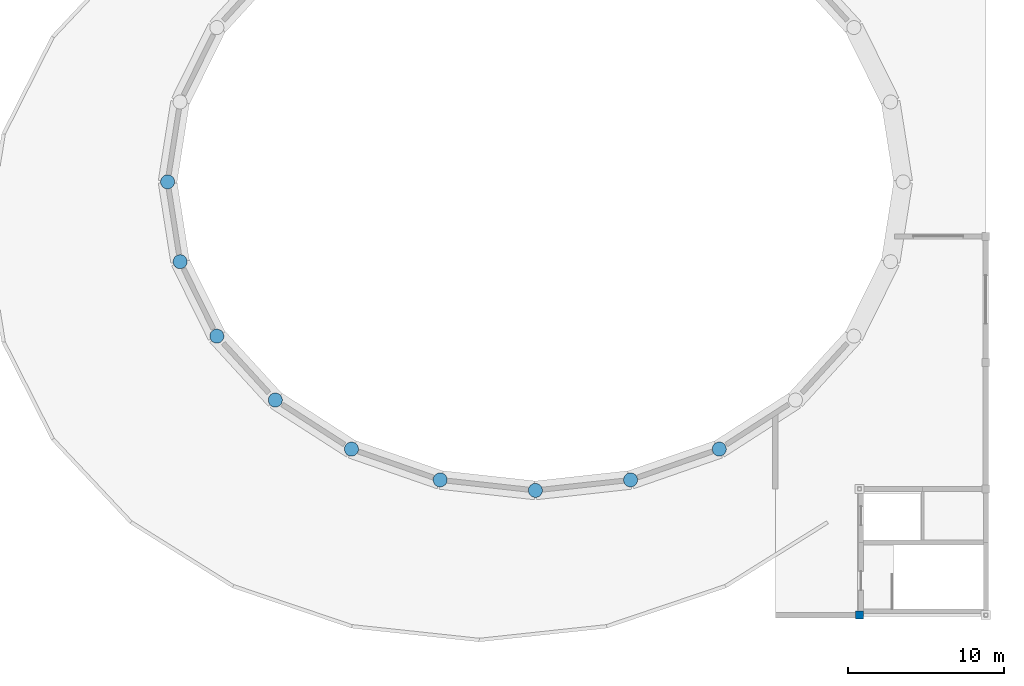
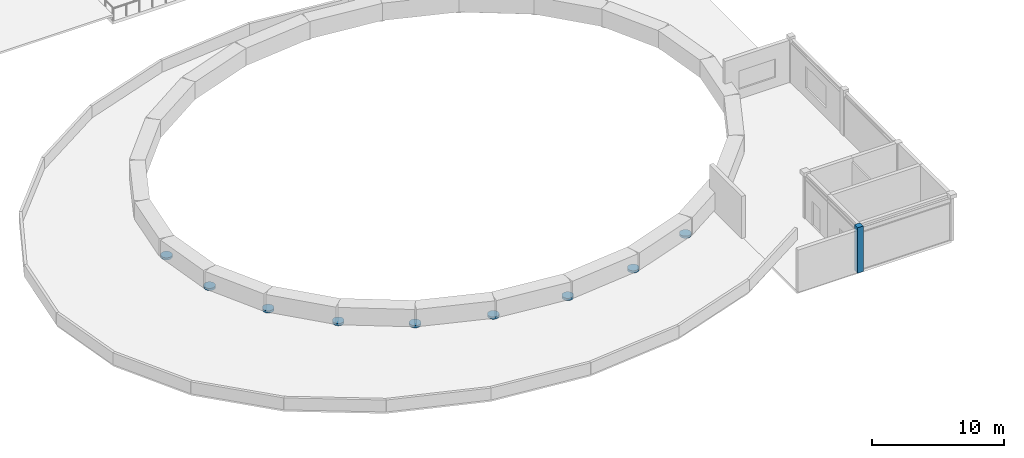
# One storey, part 1 of 26: 10 columns.
"""IFC4 building model written with IfcOpenShell, lengths in metres."""

from ifc_helpers import new_model, si_unit, direction, frame, origin, origin_2d, place, context, subcontext, project, spatial, rectangle, circle, extrude, material, material_profile, profile_set, type_object, element, save


model = new_model("IFC4")

# Units and contexts
model_context = context("Model", 3, precision=1e-05, world=origin(), true_north=direction((0.0, 1.0)))
body_context = subcontext(model_context, "Body", "Model", "MODEL_VIEW")
ifc_project = project(units=[si_unit("LENGTHUNIT", "METRE"), si_unit("AREAUNIT", "SQUARE_METRE"), si_unit("VOLUMEUNIT", "CUBIC_METRE"), si_unit("PLANEANGLEUNIT", "RADIAN"), si_unit("MASSUNIT", "GRAM", prefix="KILO")], contexts=[model_context])

# Site, building, storey
site_placement = place(None, origin())
site = spatial("IfcSite", under=ifc_project, at=site_placement, CompositionType="ELEMENT")
building_placement = place(site_placement, origin())
building = spatial("IfcBuilding", under=site, at=building_placement, Name="Parian Resonance Hall", CompositionType="ELEMENT")
storey_placement = place(building_placement, frame((0.0, 0.0, 19.199951171875)))
storey = spatial("IfcBuildingStorey", under=building, at=storey_placement, Name="L04", CompositionType="ELEMENT", Elevation=19.199951171875)

# Columns
ifc_material_1 = material(Name="Concrete C40/50", Category="concrete")
ifc_material_profile_1 = material_profile(ifc_material_1, rectangle(XDim=0.5, YDim=0.5, at=origin_2d()), Name="RC-COL-500x500")
ifc_profile_set_1 = profile_set([ifc_material_profile_1], Name="Concrete C40/50")
column_type_1 = type_object("IfcColumnType", Name="COL-RC500", PredefinedType="COLUMN", material=ifc_profile_set_1)
column_placement = place(storey_placement, frame((64.800048828125, 16.199951171875, 0.0), z_axis=(0.0, 0.0, 1.0), x_axis=(1.0, 0.0, 0.0)))
element("IfcColumn", 1, at=column_placement, inside=storey, type_object=column_type_1, Name="Column G09-03 L04", PredefinedType="COLUMN", context=body_context, shape_type="SweptSolid", body=[
    extrude(rectangle(XDim=0.5, YDim=0.5, at=origin_2d()), origin(), (0.0, 0.0, 1.0), 4.199951171875),
])
ifc_material_2 = material(Name="Concrete C40/50", Category="concrete")
ifc_material_profile_2 = material_profile(ifc_material_2, circle(Radius=0.449951171875, at=origin_2d()), Name="RC-COL-D900")
ifc_profile_set_2 = profile_set([ifc_material_profile_2], Name="Concrete C40/50")
column_type_2 = type_object("IfcColumnType", Name="COL-RCD900", PredefinedType="COLUMN", material=ifc_profile_set_2)
for number, where, z_axis, x_axis, name in (
    (2, (20.39990234375, 44.0, 0.0), (0.0, 0.0, 1.0), (1.0, 0.0, 0.0), "Column DRM-13 L04"),
    (3, (21.2041015625, 38.87548828125, 0.0), (0.0, 0.0, 1.0), (1.0, 0.0, 0.0), "Column DRM-14 L04"),
    (4, (23.561767578125, 34.10009765625, 0.0), (0.0, 0.0, 1.0), (1.0, 0.0, 0.0), "Column DRM-15 L04"),
    (5, (27.312255859375, 29.999267578125, 0.0), (0.0, 0.0, 1.0), (1.0, 0.0, 0.0), "Column DRM-16 L04"),
    (6, (32.199951171875, 26.852783203125, 0.0), (0.0, 0.0, 1.0), (1.0, 0.0, 0.0), "Column DRM-17 L04"),
    (7, (37.891845703125, 24.874755859375, 0.0), (0.0, 0.0, 1.0), (1.0, 0.0, 0.0), "Column DRM-18 L04"),
    (8, (44.0, 24.199951171875, 0.0), (0.0, 0.0, 1.0), (1.0, 0.0, 0.0), "Column DRM-19 L04"),
    (9, (50.108154296875, 24.874755859375, 0.0), (0.0, 0.0, 1.0), (1.0, 0.0, 0.0), "Column DRM-20 L04"),
    (10, (55.800048828125, 26.852783203125, 0.0), (0.0, 0.0, 1.0), (1.0, 0.0, 0.0), "Column DRM-21 L04"),
):
    element("IfcColumn", number, at=place(storey_placement, frame(where, z_axis=z_axis, x_axis=x_axis)), inside=storey, type_object=column_type_2, Name=name, PredefinedType="COLUMN", context=body_context, shape_type="SweptSolid", body=[
        extrude(circle(Radius=0.449951171875, at=origin_2d()), origin(), (0.0, 0.0, 1.0), 0.199951171875),
    ])

save(model, "model.ifc")
